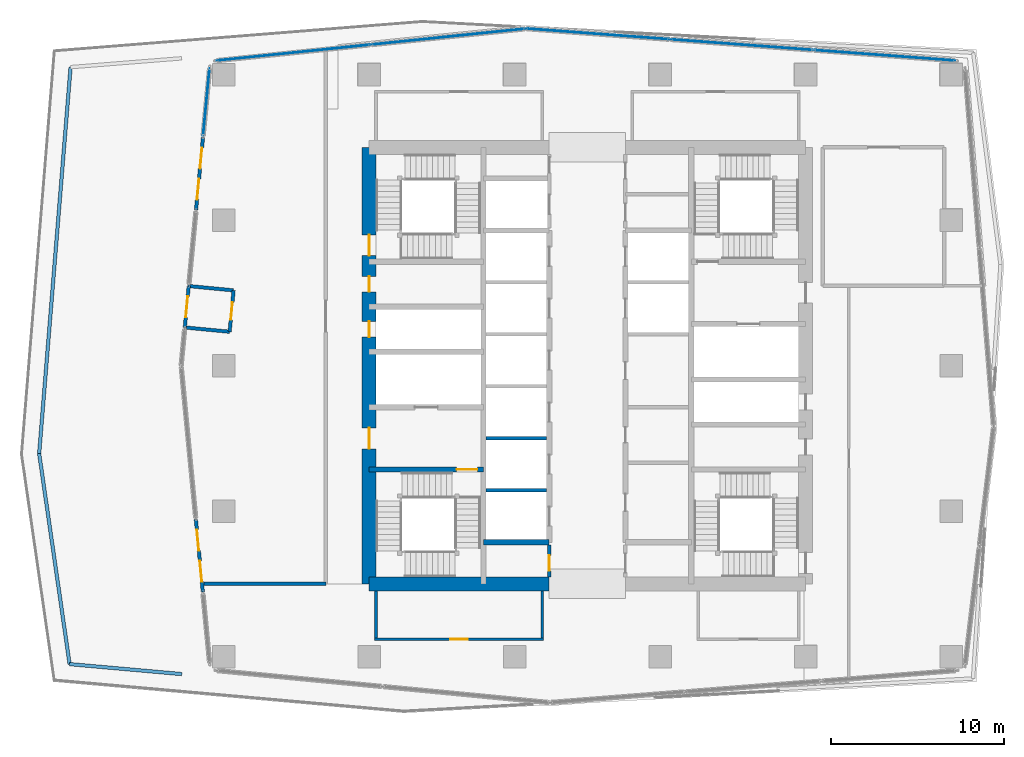
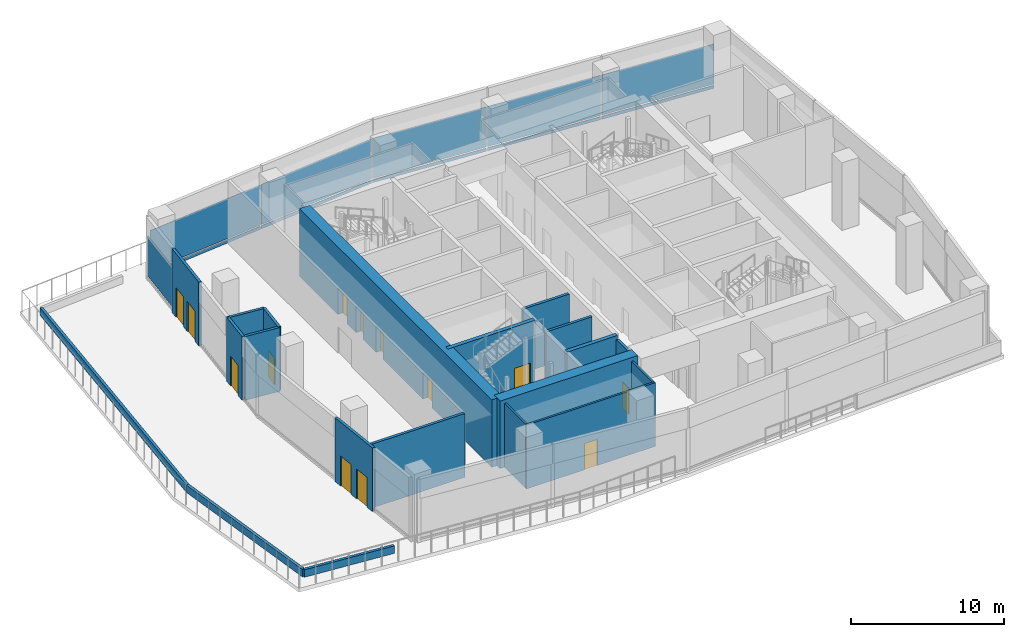
# One storey, part 12 of 22: 20 walls, 13 doors, 11 plates, 13 openings, 3 elements without a shape of their own.
"""IFC4 building model written with IfcOpenShell, lengths in metres."""

from ifc_helpers import new_model, si_unit, direction, frame, frame_2d, origin, origin_2d, place, context, subcontext, project, spatial, rectangle, extrude, material, layer, layer_set, type_object, element, fill, aggregate, save


model = new_model("IFC4")

# Units and contexts
model_context = context("Model", 3, precision=1e-05, world=origin(), true_north=direction((0.0, 1.0)))
body_context = subcontext(model_context, "Body", "Model", "MODEL_VIEW")
ifc_project = project(units=[si_unit("LENGTHUNIT", "METRE"), si_unit("AREAUNIT", "SQUARE_METRE"), si_unit("VOLUMEUNIT", "CUBIC_METRE"), si_unit("PLANEANGLEUNIT", "RADIAN"), si_unit("MASSUNIT", "GRAM", prefix="KILO")], contexts=[model_context])

# Site, building, storey
site_placement = place(None, origin())
site = spatial("IfcSite", under=ifc_project, at=site_placement, CompositionType="ELEMENT")
building_placement = place(site_placement, origin())
building = spatial("IfcBuilding", under=site, at=building_placement, Name="Rekha Terrace Tower", CompositionType="ELEMENT")
storey_placement = place(building_placement, frame((0.0, 0.0, 291.35009765625)))
storey = spatial("IfcBuildingStorey", under=building, at=storey_placement, Name="L74", CompositionType="ELEMENT", Elevation=291.35009765625)

# Curtain wall, plates
ifc_material_1 = material(Name="Aluminium framing", Category="aluminium")
curtain_wall_type = type_object("IfcCurtainWallType", Name="CW6 observation glazing", PredefinedType="USERDEFINED", material=ifc_material_1)
curtain_wall_1_placement = place(storey_placement, origin())
curtain_wall_1 = element("IfcCurtainWall", 1, at=curtain_wall_1_placement, inside=storey, type_object=curtain_wall_type, Name="CW6 observation curtain wall", ObjectType="OBSERVATION CURTAIN WALL", PredefinedType="USERDEFINED")
ifc_material_2 = material(Name="Laminated triple-glazed unit 40", Category="glass")
ifc_layer_1 = layer(ifc_material_2, 0.0400390625)
ifc_layer_set_1 = layer_set([ifc_layer_1], Name="Laminated triple-glazed unit 40")
plate_type = type_object("IfcPlateType", Name="CW6 jumbo vision panel, laminated triple-glazed unit 40", PredefinedType="CURTAIN_PANEL", material=ifc_layer_set_1)
plate_1_placement = place(storey_placement, frame((54.9609375, 51.5068359375, 0.0), z_axis=(0.0, 0.0, 1.0), x_axis=(-0.997227426414, 0.074414111615, 0.0)))
plate_1 = element("IfcPlate", 2, at=plate_1_placement, type_object=plate_type, Name="CW6 panel 1.1", PredefinedType="CURTAIN_PANEL", context=body_context, shape_type="SweptSolid", body=[
    extrude(rectangle(XDim=8.151123046875, YDim=0.0400390625, at=origin_2d()), origin(), (0.0, 0.0, 1.0), 0.25),
])
plate_2_placement = place(storey_placement, frame((54.9609375, 51.5068359375, 0.35009765625), z_axis=(0.0, 0.0, 1.0), x_axis=(-0.997227426414, 0.074414111615, 0.0)))
plate_2 = element("IfcPlate", 3, at=plate_2_placement, type_object=plate_type, Name="CW6 panel 1.2", PredefinedType="CURTAIN_PANEL", context=body_context, shape_type="SweptSolid", body=[
    extrude(rectangle(XDim=8.151123046875, YDim=0.0400390625, at=origin_2d()), origin(), (0.0, 0.0, 1.0), 3.199951171875),
])
plate_3_placement = place(storey_placement, frame((46.7080078125, 52.12255859375, 0.0), z_axis=(0.0, 0.0, 1.0), x_axis=(-0.997227426414, 0.074414111615, 0.0)))
plate_3 = element("IfcPlate", 4, at=plate_3_placement, type_object=plate_type, Name="CW6 panel 2.1", PredefinedType="CURTAIN_PANEL", context=body_context, shape_type="SweptSolid", body=[
    extrude(rectangle(XDim=8.201171875, YDim=0.0400390625, at=origin_2d()), origin(), (0.0, 0.0, 1.0), 0.25),
])
plate_4_placement = place(storey_placement, frame((46.7080078125, 52.12255859375, 0.35009765625), z_axis=(0.0, 0.0, 1.0), x_axis=(-0.997227426414, 0.074414111615, 0.0)))
plate_4 = element("IfcPlate", 5, at=plate_4_placement, type_object=plate_type, Name="CW6 panel 2.2", PredefinedType="CURTAIN_PANEL", context=body_context, shape_type="SweptSolid", body=[
    extrude(rectangle(XDim=8.201171875, YDim=0.0400390625, at=origin_2d()), origin(), (0.0, 0.0, 1.0), 3.199951171875),
])
plate_5_placement = place(storey_placement, frame((38.405029296875, 52.7421875, 0.0), z_axis=(0.0, 0.0, 1.0), x_axis=(-0.997227426414, 0.074414111615, 0.0)))
plate_5 = element("IfcPlate", 6, at=plate_5_placement, type_object=plate_type, Name="CW6 panel 3.1", PredefinedType="CURTAIN_PANEL", context=body_context, shape_type="SweptSolid", body=[
    extrude(rectangle(XDim=8.2509765625, YDim=0.0400390625, at=origin_2d()), origin(), (0.0, 0.0, 1.0), 0.25),
])
plate_6_placement = place(storey_placement, frame((38.405029296875, 52.7421875, 0.35009765625), z_axis=(0.0, 0.0, 1.0), x_axis=(-0.997227426414, 0.074414111615, 0.0)))
plate_6 = element("IfcPlate", 7, at=plate_6_placement, type_object=plate_type, Name="CW6 panel 3.2", PredefinedType="CURTAIN_PANEL", context=body_context, shape_type="SweptSolid", body=[
    extrude(rectangle(XDim=8.2509765625, YDim=0.0400390625, at=origin_2d()), origin(), (0.0, 0.0, 1.0), 3.199951171875),
])
aggregate(curtain_wall_1, [plate_1, plate_2, plate_3, plate_4, plate_5, plate_6])

curtain_wall_2_placement = place(storey_placement, origin())
curtain_wall_2 = element("IfcCurtainWall", 8, at=curtain_wall_2_placement, inside=storey, type_object=curtain_wall_type, Name="CW6 observation curtain wall", ObjectType="OBSERVATION CURTAIN WALL", PredefinedType="USERDEFINED")
plate_7_placement = place(storey_placement, frame((29.7705078125, 52.58349609375, 0.0), z_axis=(0.0, 0.0, 1.0), x_axis=(-0.994732464048, -0.102505243618, 0.0)))
plate_7 = element("IfcPlate", 9, at=plate_7_placement, type_object=plate_type, Name="CW6 panel 1.1", PredefinedType="CURTAIN_PANEL", context=body_context, shape_type="SweptSolid", body=[
    extrude(rectangle(XDim=8.88818359375, YDim=0.0400390625, at=origin_2d()), origin(), (0.0, 0.0, 1.0), 0.25),
])
plate_8_placement = place(storey_placement, frame((29.7705078125, 52.58349609375, 0.35009765625), z_axis=(0.0, 0.0, 1.0), x_axis=(-0.994732464048, -0.102505243618, 0.0)))
plate_8 = element("IfcPlate", 10, at=plate_8_placement, type_object=plate_type, Name="CW6 panel 1.2", PredefinedType="CURTAIN_PANEL", context=body_context, shape_type="SweptSolid", body=[
    extrude(rectangle(XDim=8.88818359375, YDim=0.0400390625, at=origin_2d()), origin(), (0.0, 0.0, 1.0), 3.199951171875),
])
plate_9_placement = place(storey_placement, frame((20.82958984375, 51.662109375, 0.0), z_axis=(0.0, 0.0, 1.0), x_axis=(-0.994732464048, -0.102505243618, 0.0)))
plate_9 = element("IfcPlate", 11, at=plate_9_placement, type_object=plate_type, Name="CW6 panel 2.1", PredefinedType="CURTAIN_PANEL", context=body_context, shape_type="SweptSolid", body=[
    extrude(rectangle(XDim=8.88818359375, YDim=0.0400390625, at=origin_2d()), origin(), (0.0, 0.0, 1.0), 0.25),
])
plate_10_placement = place(storey_placement, frame((20.82958984375, 51.662109375, 0.35009765625), z_axis=(0.0, 0.0, 1.0), x_axis=(-0.994732464048, -0.102505243618, 0.0)))
plate_10 = element("IfcPlate", 12, at=plate_10_placement, type_object=plate_type, Name="CW6 panel 2.2", PredefinedType="CURTAIN_PANEL", context=body_context, shape_type="SweptSolid", body=[
    extrude(rectangle(XDim=8.88818359375, YDim=0.0400390625, at=origin_2d()), origin(), (0.0, 0.0, 1.0), 3.199951171875),
])
aggregate(curtain_wall_2, [plate_7, plate_8, plate_9, plate_10])

# Curtain wall, plate
curtain_wall_3_placement = place(storey_placement, origin())
curtain_wall_3 = element("IfcCurtainWall", 13, at=curtain_wall_3_placement, inside=storey, type_object=curtain_wall_type, Name="CW6 observation curtain wall", ObjectType="OBSERVATION CURTAIN WALL", PredefinedType="USERDEFINED")
plate_11_placement = place(storey_placement, frame((15.80810546875, 48.813720703125, 0.35009765625), z_axis=(0.0, 0.0, 1.0), x_axis=(-0.095338387029, -0.99544492161, 0.0)))
plate_11 = element("IfcPlate", 14, at=plate_11_placement, type_object=plate_type, Name="CW6 panel 1.2", PredefinedType="CURTAIN_PANEL", context=body_context, shape_type="SweptSolid", body=[
    extrude(rectangle(XDim=3.906494140625, YDim=0.0400390625, at=origin_2d()), origin(), (0.0, 0.0, 1.0), 3.199951171875),
])
aggregate(curtain_wall_3, [plate_11])

# Wall
ifc_material_3 = material(Name="Concrete M60", Category="concrete")
ifc_layer_2 = layer(ifc_material_3, 0.300048828125)
ifc_layer_set_2 = layer_set([ifc_layer_2], Name="Concrete M60")
wall_type_1 = type_object("IfcWallType", Name="CI5 300 core internal shear wall", PredefinedType="SHEAR", material=ifc_layer_set_2)
wall_1_placement = place(storey_placement, frame((31.800048828125, 23.39990234375, 0.0), z_axis=(0.0, 0.0, 1.0), x_axis=(1.0, 0.0, 0.0)))
element("IfcWall", 15, at=wall_1_placement, inside=storey, type_object=wall_type_1, Name="Core wall Y234W L74", PredefinedType="SHEAR", context=body_context, shape_type="SweptSolid", body=[
    extrude(rectangle(XDim=3.800048828125, YDim=0.300048828125, at=frame_2d((1.89990234375, 0.0))), origin(), (0.0, 0.0, 1.0), 5.39990234375),
])

# Wall, opening, door
wall_2_placement = place(storey_placement, frame((25.199951171875, 27.60009765625, 0.0), z_axis=(0.0, 0.0, 1.0), x_axis=(1.0, 0.0, 0.0)))
wall_2 = element("IfcWall", 16, at=wall_2_placement, inside=storey, type_object=wall_type_1, Name="Core wall Y276W L74", PredefinedType="SHEAR", context=body_context, shape_type="SweptSolid", body=[
    extrude(rectangle(XDim=6.60009765625, YDim=0.300048828125, at=frame_2d((3.300048828125, 0.0))), origin(), (0.0, 0.0, 1.0), 5.39990234375),
])
opening_1_placement = place(wall_2_placement, frame((5.050048828125, 0.0, 0.0)))
opening_1 = element("IfcOpeningElement", 17, at=opening_1_placement, cuts=wall_2, Name="Opening D1", PredefinedType="OPENING", context=body_context, shape_type="SweptSolid", body=[
    extrude(rectangle(XDim=1.199951171875, YDim=2.10009765625, at=frame_2d((0.60009765625, 1.050048828125))), frame((0.0, 0.159912109375, 0.0), z_axis=(0.0, -1.0, 0.0), x_axis=(1.0, 0.0, 0.0)), (0.0, 0.0, 1.0), 0.320068359375),
])
ifc_material_4 = material(Name="Steel fire door", Category="steel")
door_type_1 = type_object("IfcDoorType", Name="D1 1200x2100 stair fire door", OperationType="SINGLE_SWING_RIGHT", PredefinedType="DOOR", material=ifc_material_4)
door_1_placement = place(opening_1_placement, origin())
door_1 = element("IfcDoor", 18, at=door_1_placement, inside=storey, type_object=door_type_1, Name="Stair ST1 door L74", OperationType="SINGLE_SWING_RIGHT", OverallHeight=2.10009765625, OverallWidth=1.199951171875, PredefinedType="DOOR", context=body_context, shape_type="SweptSolid", body=[
    extrude(rectangle(XDim=1.199951171875, YDim=2.10009765625, at=frame_2d((0.60009765625, 1.050048828125))), frame((0.0, 0.02490234375, 0.0), z_axis=(0.0, -1.0, 0.0), x_axis=(1.0, 0.0, 0.0)), (0.0, 0.0, 1.0), 0.050048828125),
])
fill(opening_1, door_1)

# Wall, openings, doors
ifc_material_5 = material(Name="Aluminium-faced insulated screen wall", Category="aluminium")
ifc_layer_3 = layer(ifc_material_5, 0.199951171875)
ifc_layer_set_3 = layer_set([ifc_layer_3], Name="Aluminium-faced insulated screen wall")
wall_type_2 = type_object("IfcWallType", Name="EW3 terrace door screen wall 200", PredefinedType="SOLIDWALL", material=ifc_layer_set_3)
wall_3_placement = place(storey_placement, frame((15.6123046875, 46.769775390625, 0.0), z_axis=(0.0, 0.0, 1.0), x_axis=(-0.095335790659, -0.995445170273, 0.0)))
wall_3 = element("IfcWall", 19, at=wall_3_placement, inside=storey, type_object=wall_type_2, Name="Terrace door screen wall", PredefinedType="SOLIDWALL", context=body_context, shape_type="SweptSolid", body=[
    extrude(rectangle(XDim=4.19970703125, YDim=0.199951171875, at=frame_2d((2.099853515625, 0.0))), origin(), (0.0, 0.0, 1.0), 5.099853515625),
])
opening_2_placement = place(wall_3_placement, frame((0.60009765625, 0.0, 0.0)))
opening_2 = element("IfcOpeningElement", 20, at=opening_2_placement, cuts=wall_3, Name="Opening ED4", PredefinedType="OPENING", context=body_context, shape_type="SweptSolid", body=[
    extrude(rectangle(XDim=1.199951171875, YDim=2.39990234375, at=frame_2d((0.60009765625, 1.199951171875))), frame((0.0, 0.10986328125, 0.0), z_axis=(0.0, -1.0, 0.0), x_axis=(1.0, 0.0, 0.0)), (0.0, 0.0, 1.0), 0.219970703125),
])
opening_3_placement = place(wall_3_placement, frame((2.39990234375, 0.0, 0.0)))
opening_3 = element("IfcOpeningElement", 21, at=opening_3_placement, cuts=wall_3, Name="Opening ED4", PredefinedType="OPENING", context=body_context, shape_type="SweptSolid", body=[
    extrude(rectangle(XDim=1.199951171875, YDim=2.39990234375, at=frame_2d((0.60009765625, 1.199951171875))), frame((0.0, 0.10986328125, 0.0), z_axis=(0.0, -1.0, 0.0), x_axis=(1.0, 0.0, 0.0)), (0.0, 0.0, 1.0), 0.219970703125),
])
ifc_material_6 = material(Name="Aluminium framed laminated glass door", Category="aluminium")
door_type_2 = type_object("IfcDoorType", Name="ED4 glazed terrace door 1200 x 2400", OperationType="SINGLE_SWING_LEFT", PredefinedType="DOOR", material=ifc_material_6)
door_2_placement = place(opening_2_placement, origin())
door_2 = element("IfcDoor", 22, at=door_2_placement, inside=storey, type_object=door_type_2, Name="Terrace door", OperationType="SINGLE_SWING_LEFT", OverallHeight=2.39990234375, OverallWidth=1.199951171875, PredefinedType="DOOR", context=body_context, shape_type="SweptSolid", body=[
    extrude(rectangle(XDim=1.199951171875, YDim=2.39990234375, at=frame_2d((0.60009765625, 1.199951171875))), frame((0.0, 0.02490234375, 0.0), z_axis=(0.0, -1.0, 0.0), x_axis=(1.0, 0.0, 0.0)), (0.0, 0.0, 1.0), 0.050048828125),
])
fill(opening_2, door_2)
door_3_placement = place(opening_3_placement, origin())
door_3 = element("IfcDoor", 23, at=door_3_placement, inside=storey, type_object=door_type_2, Name="Terrace door", OperationType="SINGLE_SWING_LEFT", OverallHeight=2.39990234375, OverallWidth=1.199951171875, PredefinedType="DOOR", context=body_context, shape_type="SweptSolid", body=[
    extrude(rectangle(XDim=1.199951171875, YDim=2.39990234375, at=frame_2d((0.60009765625, 1.199951171875))), frame((0.0, 0.02490234375, 0.0), z_axis=(0.0, -1.0, 0.0), x_axis=(1.0, 0.0, 0.0)), (0.0, 0.0, 1.0), 0.050048828125),
])
fill(opening_3, door_3)

# Wall, opening, door
wall_4_placement = place(storey_placement, frame((14.79052734375, 38.191162109375, 0.0), z_axis=(0.0, 0.0, 1.0), x_axis=(-0.095313116599, -0.995447341553, 0.0)))
wall_4 = element("IfcWall", 24, at=wall_4_placement, inside=storey, type_object=wall_type_2, Name="Maintenance store door screen wall", PredefinedType="SOLIDWALL", context=body_context, shape_type="SweptSolid", body=[
    extrude(rectangle(XDim=2.400146484375, YDim=0.199951171875, at=frame_2d((1.2001953125, 0.0))), origin(), (0.0, 0.0, 1.0), 5.099853515625),
])
opening_4_placement = place(wall_4_placement, frame((0.60009765625, 0.0, 0.0)))
opening_4 = element("IfcOpeningElement", 25, at=opening_4_placement, cuts=wall_4, Name="Opening ED4", PredefinedType="OPENING", context=body_context, shape_type="SweptSolid", body=[
    extrude(rectangle(XDim=1.199951171875, YDim=2.39990234375, at=frame_2d((0.60009765625, 1.199951171875))), frame((0.0, 0.10986328125, 0.0), z_axis=(0.0, -1.0, 0.0), x_axis=(1.0, 0.0, 0.0)), (0.0, 0.0, 1.0), 0.219970703125),
])
door_4_placement = place(opening_4_placement, origin())
door_4 = element("IfcDoor", 26, at=door_4_placement, inside=storey, type_object=door_type_2, Name="Maintenance access door", OperationType="SINGLE_SWING_LEFT", OverallHeight=2.39990234375, OverallWidth=1.199951171875, PredefinedType="DOOR", context=body_context, shape_type="SweptSolid", body=[
    extrude(rectangle(XDim=1.199951171875, YDim=2.39990234375, at=frame_2d((0.60009765625, 1.199951171875))), frame((0.0, 0.02490234375, 0.0), z_axis=(0.0, -1.0, 0.0), x_axis=(1.0, 0.0, 0.0)), (0.0, 0.0, 1.0), 0.050048828125),
])
fill(opening_4, door_4)

# Wall, openings, doors
wall_5_placement = place(storey_placement, frame((15.20166015625, 24.717041015625, 0.0), z_axis=(0.0, 0.0, 1.0), x_axis=(0.0953302742, -0.99544569858, 0.0)))
wall_5 = element("IfcWall", 27, at=wall_5_placement, inside=storey, type_object=wall_type_2, Name="Terrace door screen wall", PredefinedType="SOLIDWALL", context=body_context, shape_type="SweptSolid", body=[
    extrude(rectangle(XDim=4.199951171875, YDim=0.199951171875, at=frame_2d((2.10009765625, 0.0))), origin(), (0.0, 0.0, 1.0), 5.099853515625),
])
opening_5_placement = place(wall_5_placement, frame((0.60009765625, 0.0, 0.0)))
opening_5 = element("IfcOpeningElement", 28, at=opening_5_placement, cuts=wall_5, Name="Opening ED4", PredefinedType="OPENING", context=body_context, shape_type="SweptSolid", body=[
    extrude(rectangle(XDim=1.199951171875, YDim=2.39990234375, at=frame_2d((0.60009765625, 1.199951171875))), frame((0.0, 0.10986328125, 0.0), z_axis=(0.0, -1.0, 0.0), x_axis=(1.0, 0.0, 0.0)), (0.0, 0.0, 1.0), 0.219970703125),
])
opening_6_placement = place(wall_5_placement, frame((2.39990234375, 0.0, 0.0)))
opening_6 = element("IfcOpeningElement", 29, at=opening_6_placement, cuts=wall_5, Name="Opening ED4", PredefinedType="OPENING", context=body_context, shape_type="SweptSolid", body=[
    extrude(rectangle(XDim=1.199951171875, YDim=2.39990234375, at=frame_2d((0.60009765625, 1.199951171875))), frame((0.0, 0.10986328125, 0.0), z_axis=(0.0, -1.0, 0.0), x_axis=(1.0, 0.0, 0.0)), (0.0, 0.0, 1.0), 0.219970703125),
])
door_5_placement = place(opening_5_placement, origin())
door_5 = element("IfcDoor", 30, at=door_5_placement, inside=storey, type_object=door_type_2, Name="Terrace door", OperationType="SINGLE_SWING_LEFT", OverallHeight=2.39990234375, OverallWidth=1.199951171875, PredefinedType="DOOR", context=body_context, shape_type="SweptSolid", body=[
    extrude(rectangle(XDim=1.199951171875, YDim=2.39990234375, at=frame_2d((0.60009765625, 1.199951171875))), frame((0.0, 0.02490234375, 0.0), z_axis=(0.0, -1.0, 0.0), x_axis=(1.0, 0.0, 0.0)), (0.0, 0.0, 1.0), 0.050048828125),
])
fill(opening_5, door_5)
door_6_placement = place(opening_6_placement, origin())
door_6 = element("IfcDoor", 31, at=door_6_placement, inside=storey, type_object=door_type_2, Name="Terrace door", OperationType="SINGLE_SWING_LEFT", OverallHeight=2.39990234375, OverallWidth=1.199951171875, PredefinedType="DOOR", context=body_context, shape_type="SweptSolid", body=[
    extrude(rectangle(XDim=1.199951171875, YDim=2.39990234375, at=frame_2d((0.60009765625, 1.199951171875))), frame((0.0, 0.02490234375, 0.0), z_axis=(0.0, -1.0, 0.0), x_axis=(1.0, 0.0, 0.0)), (0.0, 0.0, 1.0), 0.050048828125),
])
fill(opening_6, door_6)

# Walls
ifc_material_7 = material(Name="Concrete M40", Category="concrete")
ifc_layer_4 = layer(ifc_material_7, 0.199951171875)
ifc_layer_set_4 = layer_set([ifc_layer_4], Name="Concrete M40")
wall_type_3 = type_object("IfcWallType", Name="PL1 terrace planter wall 200", PredefinedType="USERDEFINED", material=ifc_layer_set_4)
wall_6_placement = place(storey_placement, frame((7.970458984375, 50.827880859375, 0.0), z_axis=(0.0, 0.0, 1.0), x_axis=(-0.08106428772, -0.996708874876, 0.0)))
element("IfcWall", 32, at=wall_6_placement, inside=storey, type_object=wall_type_3, Name="Terrace planter", ObjectType="PLANTER", PredefinedType="USERDEFINED", context=body_context, shape_type="SweptSolid", body=[
    extrude(rectangle(XDim=22.376953125, YDim=0.199951171875, at=frame_2d((11.1884765625, 0.0))), origin(), (0.0, 0.0, 1.0), 0.599853515625),
])
wall_7_placement = place(storey_placement, frame((6.156494140625, 28.524658203125, 0.0), z_axis=(0.0, 0.0, 1.0), x_axis=(0.143096409383, -0.989708753938, 0.0)))
element("IfcWall", 33, at=wall_7_placement, inside=storey, type_object=wall_type_3, Name="Terrace planter", ObjectType="PLANTER", PredefinedType="USERDEFINED", context=body_context, shape_type="SweptSolid", body=[
    extrude(rectangle(XDim=12.282470703125, YDim=0.199951171875, at=frame_2d((6.14111328125, 0.0))), origin(), (0.0, 0.0, 1.0), 0.599853515625),
])
wall_8_placement = place(storey_placement, frame((7.9140625, 16.36865234375, 0.0), z_axis=(0.0, 0.0, 1.0), x_axis=(0.996073744761, -0.088527368643, 0.0)))
element("IfcWall", 34, at=wall_8_placement, inside=storey, type_object=wall_type_3, Name="Terrace planter", ObjectType="PLANTER", PredefinedType="USERDEFINED", context=body_context, shape_type="SweptSolid", body=[
    extrude(rectangle(XDim=6.500244140625, YDim=0.199951171875, at=frame_2d((3.25, 0.0))), origin(), (0.0, 0.0, 1.0), 0.599853515625),
])
ifc_layer_5 = layer(ifc_material_3, 0.800048828125)
ifc_layer_set_5 = layer_set([ifc_layer_5], Name="Concrete M60")
wall_type_4 = type_object("IfcWallType", Name="SW5 800 core outer shear wall", PredefinedType="SHEAR", material=ifc_layer_set_5)
wall_9_placement = place(storey_placement, frame((25.199951171875, 21.0, 0.0), z_axis=(0.0, 0.0, 1.0), x_axis=(1.0, 0.0, 0.0)))
element("IfcWall", 35, at=wall_9_placement, inside=storey, type_object=wall_type_4, Name="Core wall S1 L74", PredefinedType="SHEAR", context=body_context, shape_type="SweptSolid", body=[
    extrude(rectangle(XDim=10.400146484375, YDim=0.800048828125, at=frame_2d((5.2001953125, 0.0))), origin(), (0.0, 0.0, 1.0), 5.39990234375),
])

# Wall, openings, doors
wall_10_placement = place(storey_placement, frame((25.199951171875, 21.0, 0.0), z_axis=(0.0, 0.0, 1.0), x_axis=(0.0, 1.0, 0.0)))
wall_10 = element("IfcWall", 36, at=wall_10_placement, inside=storey, type_object=wall_type_4, Name="Core wall W L74", PredefinedType="SHEAR", context=body_context, shape_type="SweptSolid", body=[
    extrude(rectangle(XDim=25.199951171875, YDim=0.800048828125, at=frame_2d((12.60009765625, 0.0))), origin(), (0.0, 0.0, 1.0), 5.39990234375),
])
opening_7_placement = place(wall_10_placement, frame((7.800048828125, 0.0, 0.0)))
opening_7 = element("IfcOpeningElement", 37, at=opening_7_placement, cuts=wall_10, Name="Opening D2", PredefinedType="OPENING", context=body_context, shape_type="SweptSolid", body=[
    extrude(rectangle(XDim=1.199951171875, YDim=2.10009765625, at=frame_2d((0.60009765625, 1.050048828125))), frame((0.0, 0.409912109375, 0.0), z_axis=(0.0, -1.0, 0.0), x_axis=(1.0, 0.0, 0.0)), (0.0, 0.0, 1.0), 0.820068359375),
])
opening_8_placement = place(wall_10_placement, frame((14.25, 0.0, 0.0)))
opening_8 = element("IfcOpeningElement", 38, at=opening_8_placement, cuts=wall_10, Name="Opening D5", PredefinedType="OPENING", context=body_context, shape_type="SweptSolid", body=[
    extrude(rectangle(XDim=0.89990234375, YDim=2.10009765625, at=frame_2d((0.449951171875, 1.050048828125))), frame((0.0, 0.409912109375, 0.0), z_axis=(0.0, -1.0, 0.0), x_axis=(1.0, 0.0, 0.0)), (0.0, 0.0, 1.0), 0.820068359375),
])
opening_9_placement = place(wall_10_placement, frame((16.85009765625, 0.0, 0.0)))
opening_9 = element("IfcOpeningElement", 39, at=opening_9_placement, cuts=wall_10, Name="Opening D5", PredefinedType="OPENING", context=body_context, shape_type="SweptSolid", body=[
    extrude(rectangle(XDim=0.89990234375, YDim=2.10009765625, at=frame_2d((0.449951171875, 1.050048828125))), frame((0.0, 0.409912109375, 0.0), z_axis=(0.0, -1.0, 0.0), x_axis=(1.0, 0.0, 0.0)), (0.0, 0.0, 1.0), 0.820068359375),
])
opening_10_placement = place(wall_10_placement, frame((18.949951171875, 0.0, 0.0)))
opening_10 = element("IfcOpeningElement", 40, at=opening_10_placement, cuts=wall_10, Name="Opening D1", PredefinedType="OPENING", context=body_context, shape_type="SweptSolid", body=[
    extrude(rectangle(XDim=1.199951171875, YDim=2.10009765625, at=frame_2d((0.60009765625, 1.050048828125))), frame((0.0, 0.409912109375, 0.0), z_axis=(0.0, -1.0, 0.0), x_axis=(1.0, 0.0, 0.0)), (0.0, 0.0, 1.0), 0.820068359375),
])
door_7_placement = place(opening_10_placement, origin())
door_7 = element("IfcDoor", 41, at=door_7_placement, inside=storey, type_object=door_type_1, Name="Stair ST4 door L74", OperationType="SINGLE_SWING_RIGHT", OverallHeight=2.10009765625, OverallWidth=1.199951171875, PredefinedType="DOOR", context=body_context, shape_type="SweptSolid", body=[
    extrude(rectangle(XDim=1.199951171875, YDim=2.10009765625, at=frame_2d((0.60009765625, 1.050048828125))), frame((0.0, 0.02490234375, 0.0), z_axis=(0.0, -1.0, 0.0), x_axis=(1.0, 0.0, 0.0)), (0.0, 0.0, 1.0), 0.050048828125),
])
fill(opening_10, door_7)
door_type_3 = type_object("IfcDoorType", Name="D2 1200x2100 firefighting lobby door", OperationType="SINGLE_SWING_LEFT", PredefinedType="DOOR", material=ifc_material_4)
door_8_placement = place(opening_7_placement, origin())
door_8 = element("IfcDoor", 42, at=door_8_placement, inside=storey, type_object=door_type_3, Name="Door flb1 L74", OperationType="SINGLE_SWING_LEFT", OverallHeight=2.10009765625, OverallWidth=1.199951171875, PredefinedType="DOOR", context=body_context, shape_type="SweptSolid", body=[
    extrude(rectangle(XDim=1.199951171875, YDim=2.10009765625, at=frame_2d((0.60009765625, 1.050048828125))), frame((0.0, 0.02490234375, 0.0), z_axis=(0.0, -1.0, 0.0), x_axis=(1.0, 0.0, 0.0)), (0.0, 0.0, 1.0), 0.050048828125),
])
fill(opening_7, door_8)
door_type_4 = type_object("IfcDoorType", Name="D5 900x2100 riser access door", OperationType="SINGLE_SWING_LEFT", PredefinedType="DOOR", material=ifc_material_4)
door_9_placement = place(opening_8_placement, origin())
door_9 = element("IfcDoor", 43, at=door_9_placement, inside=storey, type_object=door_type_4, Name="Door rs1 L74", OperationType="SINGLE_SWING_LEFT", OverallHeight=2.10009765625, OverallWidth=0.89990234375, PredefinedType="DOOR", context=body_context, shape_type="SweptSolid", body=[
    extrude(rectangle(XDim=0.89990234375, YDim=2.10009765625, at=frame_2d((0.449951171875, 1.050048828125))), frame((0.0, 0.02490234375, 0.0), z_axis=(0.0, -1.0, 0.0), x_axis=(1.0, 0.0, 0.0)), (0.0, 0.0, 1.0), 0.050048828125),
])
fill(opening_8, door_9)
door_10_placement = place(opening_9_placement, origin())
door_10 = element("IfcDoor", 44, at=door_10_placement, inside=storey, type_object=door_type_4, Name="Door elw L74", OperationType="SINGLE_SWING_LEFT", OverallHeight=2.10009765625, OverallWidth=0.89990234375, PredefinedType="DOOR", context=body_context, shape_type="SweptSolid", body=[
    extrude(rectangle(XDim=0.89990234375, YDim=2.10009765625, at=frame_2d((0.449951171875, 1.050048828125))), frame((0.0, 0.02490234375, 0.0), z_axis=(0.0, -1.0, 0.0), x_axis=(1.0, 0.0, 0.0)), (0.0, 0.0, 1.0), 0.050048828125),
])
fill(opening_9, door_10)

# Wall
ifc_material_8 = material(Name="Solid concrete block masonry, 2 hour", Category="masonry")
ifc_layer_6 = layer(ifc_material_8, 0.199951171875)
ifc_layer_set_6 = layer_set([ifc_layer_6], Name="Solid concrete block masonry, 2 hour")
wall_type_5 = type_object("IfcWallType", Name="WP1 200 plant room wall", PredefinedType="PARTITIONING", material=ifc_layer_set_6)
wall_11_placement = place(storey_placement, frame((14.660888671875, 35.79296875, 0.0), z_axis=(0.0, 0.0, 1.0), x_axis=(0.995421006925, -0.095587755349, 0.0)))
element("IfcWall", 45, at=wall_11_placement, inside=storey, type_object=wall_type_5, Name="Partition L74-04", PredefinedType="PARTITIONING", context=body_context, shape_type="SweptSolid", body=[
    extrude(rectangle(XDim=2.50048828125, YDim=0.199951171875, at=frame_2d((1.250244140625, 0.0))), origin(), (0.0, 0.0, 1.0), 5.099853515625),
])

# Wall, opening, door
wall_12_placement = place(storey_placement, frame((17.14990234375, 35.553955078125, 0.0), z_axis=(0.0, 0.0, 1.0), x_axis=(0.095413912609, 0.995437685282, 0.0)))
wall_12 = element("IfcWall", 46, at=wall_12_placement, inside=storey, type_object=wall_type_5, Name="Partition L74-04", PredefinedType="PARTITIONING", context=body_context, shape_type="SweptSolid", body=[
    extrude(rectangle(XDim=2.400146484375, YDim=0.199951171875, at=frame_2d((1.2001953125, 0.0))), origin(), (0.0, 0.0, 1.0), 5.099853515625),
])
opening_11_placement = place(wall_12_placement, frame((0.699951171875, 0.0, 0.0)))
opening_11 = element("IfcOpeningElement", 47, at=opening_11_placement, cuts=wall_12, Name="Opening D9", PredefinedType="OPENING", context=body_context, shape_type="SweptSolid", body=[
    extrude(rectangle(XDim=1.0, YDim=2.10009765625, at=frame_2d((0.5, 1.050048828125))), frame((0.0, 0.10986328125, 0.0), z_axis=(0.0, -1.0, 0.0), x_axis=(1.0, 0.0, 0.0)), (0.0, 0.0, 1.0), 0.219970703125),
])
ifc_material_9 = material(Name="Timber fire door", Category="wood")
door_type_5 = type_object("IfcDoorType", Name="D9 1000x2100 office door", OperationType="SINGLE_SWING_LEFT", PredefinedType="DOOR", material=ifc_material_9)
door_11_placement = place(opening_11_placement, origin())
door_11 = element("IfcDoor", 48, at=door_11_placement, inside=storey, type_object=door_type_5, Name="Door terrace maintenance store L74", OperationType="SINGLE_SWING_LEFT", OverallHeight=2.10009765625, OverallWidth=1.0, PredefinedType="DOOR", context=body_context, shape_type="SweptSolid", body=[
    extrude(rectangle(XDim=1.0, YDim=2.10009765625, at=frame_2d((0.5, 1.050048828125))), frame((0.0, 0.02490234375, 0.0), z_axis=(0.0, -1.0, 0.0), x_axis=(1.0, 0.0, 0.0)), (0.0, 0.0, 1.0), 0.050048828125),
])
fill(opening_11, door_11)

# Walls
wall_13_placement = place(storey_placement, frame((17.37890625, 37.943115234375, 0.0), z_axis=(0.0, 0.0, 1.0), x_axis=(-0.9954348182, 0.095443819681, 0.0)))
element("IfcWall", 49, at=wall_13_placement, inside=storey, type_object=wall_type_5, Name="Partition L74-04", PredefinedType="PARTITIONING", context=body_context, shape_type="SweptSolid", body=[
    extrude(rectangle(XDim=2.650146484375, YDim=0.199951171875, at=frame_2d((1.3251953125, 0.0))), origin(), (0.0, 0.0, 1.0), 5.099853515625),
])
wall_14_placement = place(storey_placement, frame((22.699951171875, 21.0, 0.0), z_axis=(0.0, 0.0, 1.0), x_axis=(-1.0, 0.0, 0.0)))
element("IfcWall", 50, at=wall_14_placement, inside=storey, type_object=wall_type_5, Name="Partition L74-04", PredefinedType="PARTITIONING", context=body_context, shape_type="SweptSolid", body=[
    extrude(rectangle(XDim=7.0419921875, YDim=0.199951171875, at=frame_2d((3.52099609375, 0.0))), origin(), (0.0, 0.0, 1.0), 5.099853515625),
])

# Wall, opening, door
ifc_material_10 = material(Name="Concrete block masonry, 1 hour", Category="masonry")
ifc_layer_7 = layer(ifc_material_10, 0.14990234375)
ifc_layer_set_7 = layer_set([ifc_layer_7], Name="Concrete block masonry, 1 hour")
wall_type_6 = type_object("IfcWallType", Name="WP2 150 tenancy partition", PredefinedType="PARTITIONING", material=ifc_layer_set_7)
wall_15_placement = place(storey_placement, frame((25.52490234375, 17.800048828125, 0.0), z_axis=(0.0, 0.0, 1.0), x_axis=(1.0, 0.0, 0.0)))
wall_15 = element("IfcWall", 51, at=wall_15_placement, inside=storey, type_object=wall_type_6, Name="Men's WC wall L74", PredefinedType="PARTITIONING", context=body_context, shape_type="SweptSolid", body=[
    extrude(rectangle(XDim=9.75, YDim=0.14990234375, at=frame_2d((4.875, 0.0))), origin(), (0.0, 0.0, 1.0), 5.099853515625),
])
opening_12_placement = place(wall_15_placement, frame((4.375, 0.0, 0.0)))
opening_12 = element("IfcOpeningElement", 52, at=opening_12_placement, cuts=wall_15, Name="Opening D3", PredefinedType="OPENING", context=body_context, shape_type="SweptSolid", body=[
    extrude(rectangle(XDim=1.0, YDim=2.10009765625, at=frame_2d((0.5, 1.050048828125))), frame((0.0, 0.0849609375, 0.0), z_axis=(0.0, -1.0, 0.0), x_axis=(1.0, 0.0, 0.0)), (0.0, 0.0, 1.0), 0.169921875),
])
ifc_material_11 = material(Name="Laminated timber fire door", Category="wood")
door_type_6 = type_object("IfcDoorType", Name="D3 1000x2100 WC door", OperationType="SINGLE_SWING_LEFT", PredefinedType="DOOR", material=ifc_material_11)
door_12_placement = place(opening_12_placement, origin())
door_12 = element("IfcDoor", 53, at=door_12_placement, inside=storey, type_object=door_type_6, Name="Door men's wc L74", OperationType="SINGLE_SWING_LEFT", OverallHeight=2.10009765625, OverallWidth=1.0, PredefinedType="DOOR", context=body_context, shape_type="SweptSolid", body=[
    extrude(rectangle(XDim=1.0, YDim=2.10009765625, at=frame_2d((0.5, 1.050048828125))), frame((0.0, 0.02490234375, 0.0), z_axis=(0.0, -1.0, 0.0), x_axis=(1.0, 0.0, 0.0)), (0.0, 0.0, 1.0), 0.050048828125),
])
fill(opening_12, door_12)

# Walls
for number, where, z_axis, x_axis, name in (
    (54, (25.60009765625, 17.875, 0.0), (0.0, 0.0, 1.0), (0.0, 1.0, 0.0), "Men's WC wall L74"),
    (55, (35.199951171875, 17.875, 0.0), (0.0, 0.0, 1.0), (0.0, 1.0, 0.0), "Men's WC wall L74"),
):
    element("IfcWall", number, at=place(storey_placement, frame(where, z_axis=z_axis, x_axis=x_axis)), inside=storey, type_object=wall_type_6, Name=name, PredefinedType="PARTITIONING", context=body_context, shape_type="SweptSolid", body=[
        extrude(rectangle(XDim=2.72509765625, YDim=0.14990234375, at=frame_2d((1.362548828125, 0.0))), origin(), (0.0, 0.0, 1.0), 5.099853515625),
    ])
ifc_layer_8 = layer(ifc_material_8, 0.199951171875)
ifc_layer_set_8 = layer_set([ifc_layer_8], Name="Solid concrete block masonry, 2 hour")
wall_type_7 = type_object("IfcWallType", Name="WS1 200 stair and shaft enclosure", PredefinedType="PARTITIONING", material=ifc_layer_set_8)
for number, where, z_axis, x_axis, name in (
    (56, (31.949951171875, 26.39990234375, 0.0), (0.0, 0.0, 1.0), (1.0, 0.0, 0.0), "Lift shaft divider L74"),
    (57, (31.949951171875, 29.39990234375, 0.0), (0.0, 0.0, 1.0), (1.0, 0.0, 0.0), "Lift shaft divider L74"),
):
    element("IfcWall", number, at=place(storey_placement, frame(where, z_axis=z_axis, x_axis=x_axis)), inside=storey, type_object=wall_type_7, Name=name, PredefinedType="PARTITIONING", context=body_context, shape_type="SweptSolid", body=[
        extrude(rectangle(XDim=3.5, YDim=0.199951171875, at=frame_2d((1.75, 0.0))), origin(), (0.0, 0.0, 1.0), 5.099853515625),
    ])

# Wall, opening, door
wall_16_placement = place(storey_placement, frame((35.60009765625, 21.39990234375, 0.0), z_axis=(0.0, 0.0, 1.0), x_axis=(0.0, 1.0, 0.0)))
wall_16 = element("IfcWall", 58, at=wall_16_placement, inside=storey, type_object=wall_type_7, Name="Core partition west L74", PredefinedType="PARTITIONING", context=body_context, shape_type="SweptSolid", body=[
    extrude(rectangle(XDim=1.85009765625, YDim=0.199951171875, at=frame_2d((0.925048828125, 0.0))), origin(), (0.0, 0.0, 1.0), 5.099853515625),
])
opening_13_placement = place(wall_16_placement, frame((0.35009765625, 0.0, 0.0)))
opening_13 = element("IfcOpeningElement", 59, at=opening_13_placement, cuts=wall_16, Name="Opening D5", PredefinedType="OPENING", context=body_context, shape_type="SweptSolid", body=[
    extrude(rectangle(XDim=0.89990234375, YDim=2.10009765625, at=frame_2d((0.449951171875, 1.050048828125))), frame((0.0, 0.10986328125, 0.0), z_axis=(0.0, -1.0, 0.0), x_axis=(1.0, 0.0, 0.0)), (0.0, 0.0, 1.0), 0.219970703125),
])
door_13_placement = place(opening_13_placement, origin())
door_13 = element("IfcDoor", 60, at=door_13_placement, inside=storey, type_object=door_type_4, Name="Door cleaner's store L74", OperationType="SINGLE_SWING_LEFT", OverallHeight=2.10009765625, OverallWidth=0.89990234375, PredefinedType="DOOR", context=body_context, shape_type="SweptSolid", body=[
    extrude(rectangle(XDim=0.89990234375, YDim=2.10009765625, at=frame_2d((0.449951171875, 1.050048828125))), frame((0.0, 0.02490234375, 0.0), z_axis=(0.0, -1.0, 0.0), x_axis=(1.0, 0.0, 0.0)), (0.0, 0.0, 1.0), 0.050048828125),
])
fill(opening_13, door_13)

save(model, "model.ifc")
